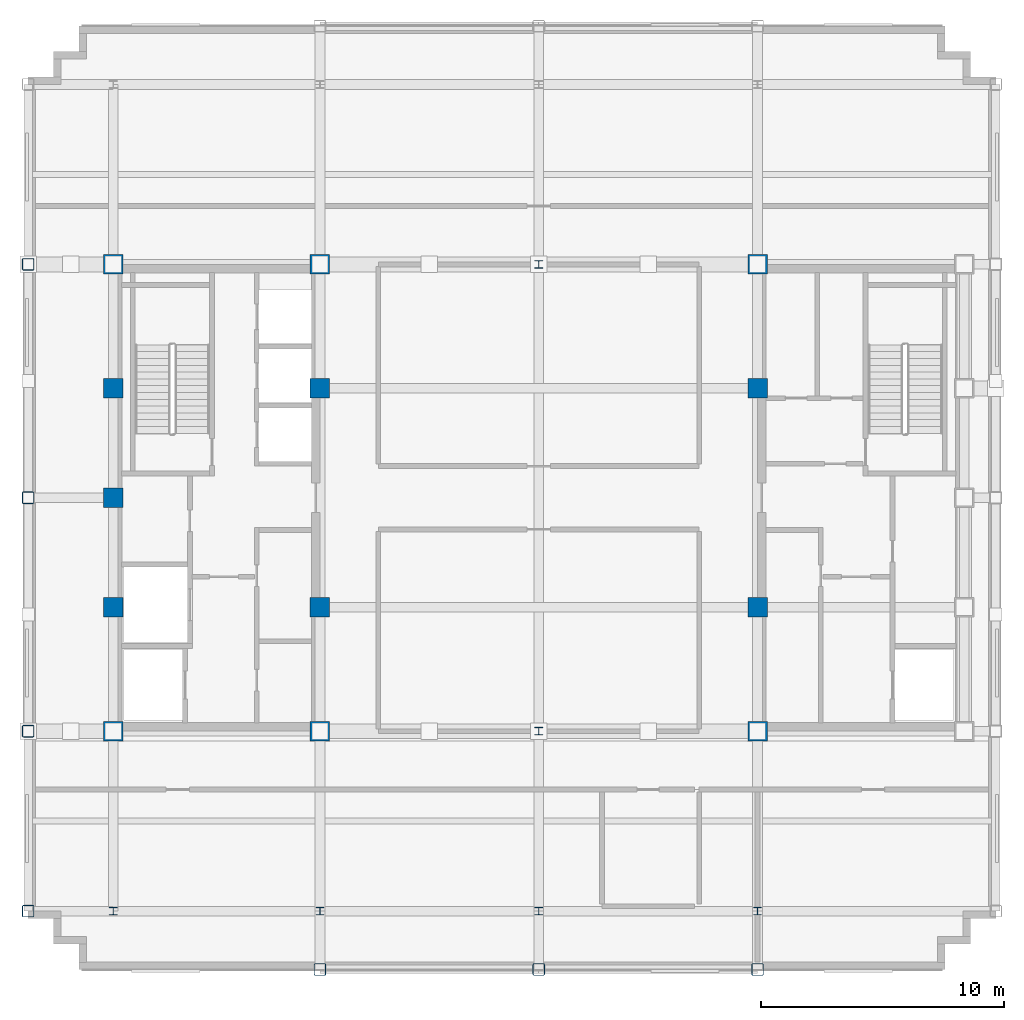
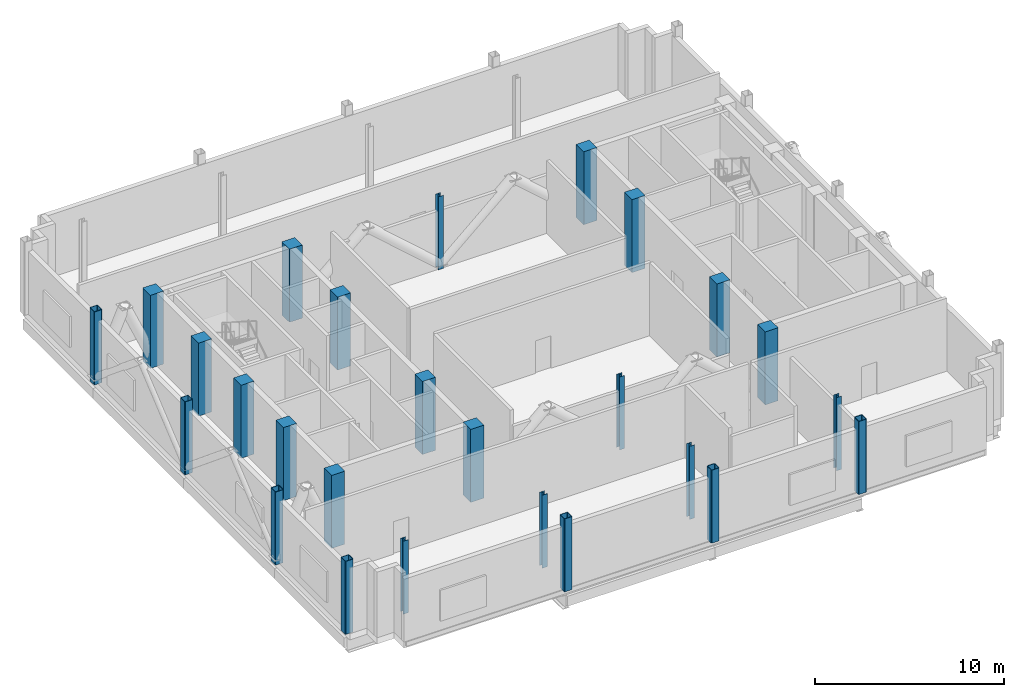
# One storey, part 1 of 12: 26 columns.
"""IFC4 building model written with IfcOpenShell, lengths in metres."""

from ifc_helpers import new_model, si_unit, direction, frame, origin, origin_2d, place, context, subcontext, project, spatial, rectangle, hollow_rectangle, i_section, extrude, material, material_profile, profile_set, type_object, element, save


model = new_model("IFC4")

# Units and contexts
model_context = context("Model", 3, precision=1e-05, world=origin(), true_north=direction((0.0, 1.0)))
body_context = subcontext(model_context, "Body", "Model", "MODEL_VIEW")
ifc_project = project(units=[si_unit("LENGTHUNIT", "METRE"), si_unit("AREAUNIT", "SQUARE_METRE"), si_unit("VOLUMEUNIT", "CUBIC_METRE"), si_unit("PLANEANGLEUNIT", "RADIAN"), si_unit("MASSUNIT", "GRAM", prefix="KILO")], contexts=[model_context])

# Site, building, storey
site_placement = place(None, origin())
site = spatial("IfcSite", under=ifc_project, at=site_placement, CompositionType="ELEMENT")
building_placement = place(site_placement, origin())
building = spatial("IfcBuilding", under=site, at=building_placement, Name="Nuvemarco Arch Tower", CompositionType="ELEMENT")
storey_placement = place(building_placement, frame((0.0, 0.0, 252.949951171875)))
storey = spatial("IfcBuildingStorey", under=building, at=storey_placement, Name="L67", CompositionType="ELEMENT", Elevation=252.949951171875)

# Columns
ifc_material_1 = material(Name="Concrete C50/60", Category="concrete")
ifc_material_profile_1 = material_profile(ifc_material_1, rectangle(XDim=0.800048828125, YDim=0.800048828125, at=origin_2d()), Name="RC-COL-800x800")
ifc_profile_set_1 = profile_set([ifc_material_profile_1], Name="Concrete C50/60")
column_type_1 = type_object("IfcColumnType", Name="COL-CORE-800", PredefinedType="COLUMN", material=ifc_profile_set_1)
for number, where, z_axis, x_axis, name in (
    (1, (-17.5, -9.60009765625, 0.0), (0.0, 0.0, 1.0), (1.0, 0.0, 0.0), "L67 column CC_-17.5_-9.6"),
    (2, (-17.5, -4.5, 0.0), (0.0, 0.0, 1.0), (1.0, 0.0, 0.0), "L67 column CC_-17.5_-4.5"),
    (3, (-17.5, 4.5, 0.0), (0.0, 0.0, 1.0), (1.0, 0.0, 0.0), "L67 column CC_-17.5_+4.5"),
    (4, (-17.5, 9.60009765625, 0.0), (0.0, 0.0, 1.0), (1.0, 0.0, 0.0), "L67 column CC_-17.5_+9.6"),
    (5, (-9.0, -9.60009765625, 0.0), (0.0, 0.0, 1.0), (1.0, 0.0, 0.0), "L67 column CC_-9.0_-9.6"),
    (6, (-9.0, -4.5, 0.0), (0.0, 0.0, 1.0), (1.0, 0.0, 0.0), "L67 column CC_-9.0_-4.5"),
    (7, (-9.0, 4.5, 0.0), (0.0, 0.0, 1.0), (1.0, 0.0, 0.0), "L67 column CC_-9.0_+4.5"),
    (8, (-9.0, 9.60009765625, 0.0), (0.0, 0.0, 1.0), (1.0, 0.0, 0.0), "L67 column CC_-9.0_+9.6"),
    (9, (9.0, -9.60009765625, 0.0), (0.0, 0.0, 1.0), (1.0, 0.0, 0.0), "L67 column CC_+9.0_-9.6"),
    (10, (9.0, -4.5, 0.0), (0.0, 0.0, 1.0), (1.0, 0.0, 0.0), "L67 column CC_+9.0_-4.5"),
    (11, (9.0, 4.5, 0.0), (0.0, 0.0, 1.0), (1.0, 0.0, 0.0), "L67 column CC_+9.0_+4.5"),
    (12, (9.0, 9.60009765625, 0.0), (0.0, 0.0, 1.0), (1.0, 0.0, 0.0), "L67 column CC_+9.0_+9.6"),
    (13, (-17.5, 0.0, 0.0), (0.0, 0.0, 1.0), (1.0, 0.0, 0.0), "L67 column CC_-17.5_+0.0"),
):
    element("IfcColumn", number, at=place(storey_placement, frame(where, z_axis=z_axis, x_axis=x_axis)), inside=storey, type_object=column_type_1, Name=name, PredefinedType="COLUMN", context=body_context, shape_type="SweptSolid", body=[
        extrude(rectangle(XDim=0.800048828125, YDim=0.800048828125, at=origin_2d()), origin(), (0.0, 0.0, 1.0), 4.719970703125),
    ])
ifc_material_2 = material(Name="Steel S355", Category="steel")
ifc_material_profile_2 = material_profile(ifc_material_2, hollow_rectangle(XDim=0.5, YDim=0.5, WallThickness=0.031982421875, InnerFilletRadius=0.031982421875, OuterFilletRadius=0.06396484375, at=origin_2d()), Name="SHS500x500x32")
ifc_profile_set_2 = profile_set([ifc_material_profile_2], Name="Steel S355")
column_type_2 = type_object("IfcColumnType", Name="COL-EXO-500", PredefinedType="COLUMN", material=ifc_profile_set_2)
for number, where, z_axis, x_axis, name in (
    (14, (-21.0, -17.0, 0.0), (0.0, 0.0, 1.0), (1.0, 0.0, 0.0), "L67 column CX_-21.0_-17.0"),
    (15, (-21.0, -9.60009765625, 0.0), (0.0, 0.0, 1.0), (1.0, 0.0, 0.0), "L67 column CX_-21.0_-9.6"),
    (16, (-21.0, 0.0, 0.0), (0.0, 0.0, 1.0), (1.0, 0.0, 0.0), "L67 column CX_-21.0_+0.0"),
    (17, (-21.0, 9.60009765625, 0.0), (0.0, 0.0, 1.0), (1.0, 0.0, 0.0), "L67 column CX_-21.0_+9.6"),
    (18, (-9.0, -19.39990234375, 0.0), (0.0, 0.0, 1.0), (1.0, 0.0, 0.0), "L67 column CY_-9.0_-19.4"),
    (19, (0.0, -19.39990234375, 0.0), (0.0, 0.0, 1.0), (1.0, 0.0, 0.0), "L67 column CY_+0.0_-19.4"),
    (20, (9.0, -19.39990234375, 0.0), (0.0, 0.0, 1.0), (1.0, 0.0, 0.0), "L67 column CY_+9.0_-19.4"),
):
    element("IfcColumn", number, at=place(storey_placement, frame(where, z_axis=z_axis, x_axis=x_axis)), inside=storey, type_object=column_type_2, Name=name, PredefinedType="COLUMN", context=body_context, shape_type="SweptSolid", body=[
        extrude(hollow_rectangle(XDim=0.5, YDim=0.5, WallThickness=0.031982421875, InnerFilletRadius=0.031982421875, OuterFilletRadius=0.06396484375, at=origin_2d()), origin(), (0.0, 0.0, 1.0), 4.719970703125),
    ])
ifc_material_profile_3 = material_profile(ifc_material_2, i_section(OverallWidth=0.31005859375, OverallDepth=0.31005859375, WebThickness=0.015380859375, FlangeThickness=0.015380859375, FilletRadius=0.014892578125, at=origin_2d()), Name="HP310x110")
ifc_profile_set_3 = profile_set([ifc_material_profile_3], Name="Steel S355")
column_type_3 = type_object("IfcColumnType", Name="COL-STL-HP310", PredefinedType="COLUMN", material=ifc_profile_set_3)
for number, where, z_axis, x_axis, name in (
    (21, (0.0, -17.0, 0.0), (0.0, 0.0, 1.0), (1.0, 0.0, 0.0), "L67 column CI_+0.0_-17.0"),
    (22, (0.0, -9.60009765625, 0.0), (0.0, 0.0, 1.0), (1.0, 0.0, 0.0), "L67 column CI_+0.0_-9.6"),
    (23, (0.0, 9.60009765625, 0.0), (0.0, 0.0, 1.0), (1.0, 0.0, 0.0), "L67 column CI_+0.0_+9.6"),
    (24, (-17.5, -17.0, 0.0), (0.0, 0.0, 1.0), (1.0, 0.0, 0.0), "L67 column CI_-17.5_-17.0"),
    (25, (-9.0, -17.0, 0.0), (0.0, 0.0, 1.0), (1.0, 0.0, 0.0), "L67 column CI_-9.0_-17.0"),
    (26, (9.0, -17.0, 0.0), (0.0, 0.0, 1.0), (1.0, 0.0, 0.0), "L67 column CI_+9.0_-17.0"),
):
    element("IfcColumn", number, at=place(storey_placement, frame(where, z_axis=z_axis, x_axis=x_axis)), inside=storey, type_object=column_type_3, Name=name, PredefinedType="COLUMN", context=body_context, shape_type="SweptSolid", body=[
        extrude(i_section(OverallWidth=0.31005859375, OverallDepth=0.31005859375, WebThickness=0.015380859375, FlangeThickness=0.015380859375, FilletRadius=0.014892578125, at=origin_2d()), origin(), (0.0, 0.0, 1.0), 4.719970703125),
    ])

save(model, "model.ifc")
